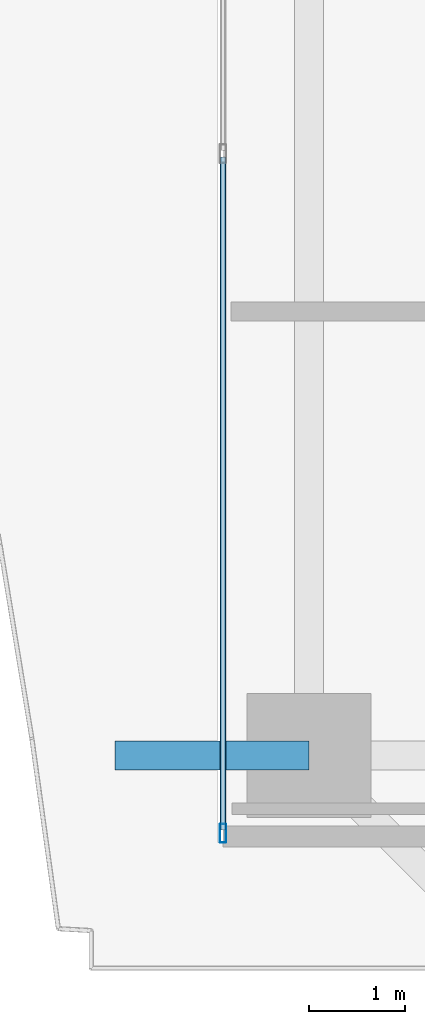
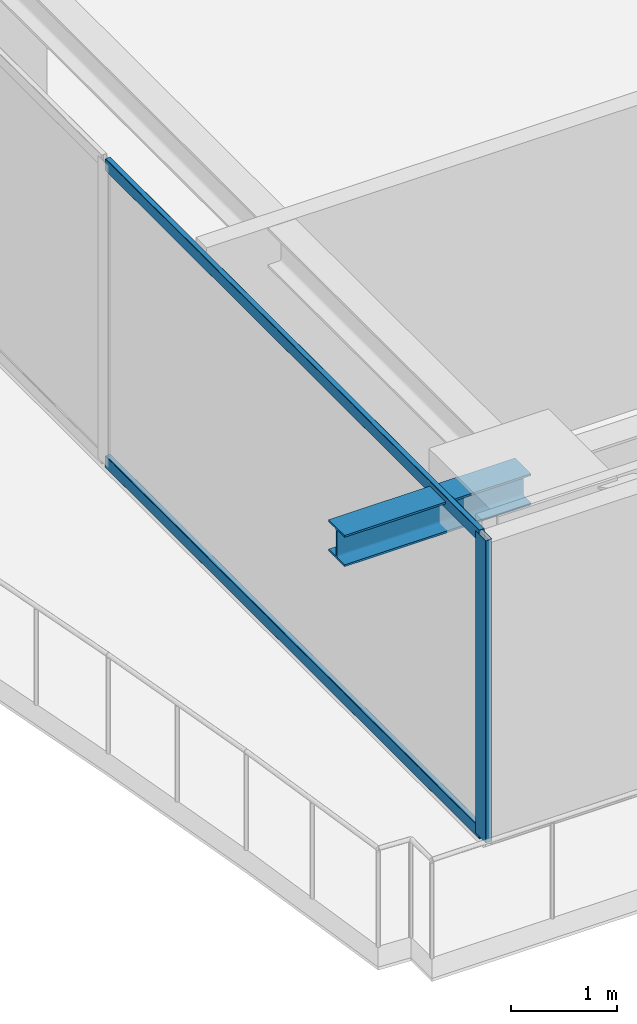
# One storey, part 3 of 35: 3 members, 1 beam, 1 element without a shape of its own.
"""IFC4 building model written with IfcOpenShell, lengths in metres."""

from ifc_helpers import new_model, si_unit, direction, frame, origin, origin_2d, place, context, subcontext, project, spatial, hollow_rectangle, i_section, extrude, source, transform, mapped, material, layer, layer_set, material_profile, profile_set, type_object, element, aggregate, save


model = new_model("IFC4")

# Units and contexts
model_context = context("Model", 3, precision=1e-05, world=origin(), true_north=direction((0.0, 1.0)))
body_context = subcontext(model_context, "Body", "Model", "MODEL_VIEW")
ifc_project = project(units=[si_unit("LENGTHUNIT", "METRE"), si_unit("AREAUNIT", "SQUARE_METRE"), si_unit("VOLUMEUNIT", "CUBIC_METRE"), si_unit("PLANEANGLEUNIT", "RADIAN"), si_unit("MASSUNIT", "GRAM", prefix="KILO")], contexts=[model_context])

# Site, building, storey
site_placement = place(None, origin())
site = spatial("IfcSite", under=ifc_project, at=site_placement, CompositionType="ELEMENT")
building_placement = place(site_placement, origin())
building = spatial("IfcBuilding", under=site, at=building_placement, Name="Serunith Strait Residences", CompositionType="ELEMENT")
storey_placement = place(building_placement, frame((0.0, 0.0, 172.64990234375)))
storey = spatial("IfcBuildingStorey", under=building, at=storey_placement, Name="L43", CompositionType="ELEMENT", Elevation=172.64990234375)

# Beam
ifc_material_1 = material(Name="Steel S355J2", Category="steel")
ifc_material_profile_1 = material_profile(ifc_material_1, i_section(OverallWidth=0.300048828125, OverallDepth=0.360107421875, WebThickness=0.012451171875, FlangeThickness=0.0224609375, FilletRadius=0.027099609375, at=origin_2d()), Name="HEB 360")
ifc_profile_set_1 = profile_set([ifc_material_profile_1], Name="Steel S355J2")
beam_type = type_object("IfcBeamType", Name="BM-HEB360", PredefinedType="BEAM", material=ifc_profile_set_1)
shared_shape_1 = source(origin(), body_context, "Body", "SweptSolid", [
    extrude(i_section(OverallWidth=0.300048828125, OverallDepth=0.360107421875, WebThickness=0.012451171875, FlangeThickness=0.0224609375, FilletRadius=0.027099609375, at=origin_2d()), origin(), (0.0, 0.0, 1.0), 2.030029296875),
])
beam_placement = place(storey_placement, frame((8.699951171875, 10.25, 3.277099609375), z_axis=(-1.0, 0.0, 0.0), x_axis=(0.0, -1.0, 0.0)))
element("IfcBeam", 1, at=beam_placement, inside=storey, type_object=beam_type, Name="L44 Cantilevered Balcony Rib TC-W1", PredefinedType="BEAM", context=body_context, shape_type="MappedRepresentation", body=[
    mapped(shared_shape_1, transform((0.0, 0.0, 0.0), scale=1.0)),
])

# Curtain wall, members
ifc_material_2 = material(Name="Pale-Champagne Anodised Aluminium", Category="aluminium")
ifc_layer = layer(ifc_material_2, 0.199951171875, Name="Pale-Champagne Anodised Aluminium")
ifc_layer_set = layer_set([ifc_layer], Name="Pale-Champagne Anodised Aluminium")
curtain_wall_type = type_object("IfcCurtainWallType", Name="CW-SYS2", PredefinedType="NOTDEFINED", material=ifc_layer_set)
curtain_wall_placement = place(storey_placement, origin())
curtain_wall = element("IfcCurtainWall", 2, at=curtain_wall_placement, inside=storey, type_object=curtain_wall_type, Name="L43 W Unitised Fritted Curtain Wall", PredefinedType="NOTDEFINED")
ifc_material_profile_2 = material_profile(ifc_material_2, hollow_rectangle(XDim=0.070068359375, YDim=0.199951171875, WallThickness=0.00390625, InnerFilletRadius=0.006103515625, OuterFilletRadius=0.010009765625, at=origin_2d()), Name="ALU 200x70x4")
ifc_profile_set_2 = profile_set([ifc_material_profile_2], Name="Pale-Champagne Anodised Aluminium")
member_type_1 = type_object("IfcMemberType", Name="CW-SYS2-MULL", PredefinedType="MULLION", material=ifc_profile_set_2)
shared_shape_2 = source(origin(), body_context, "Body", "SweptSolid", [
    extrude(hollow_rectangle(XDim=0.070068359375, YDim=0.199951171875, WallThickness=0.00390625, InnerFilletRadius=0.006103515625, OuterFilletRadius=0.010009765625, at=origin_2d()), origin(), (0.0, 0.0, 1.0), 3.47509765625),
])
member_1_placement = place(storey_placement, frame((7.800048828125, 9.43505859375, 0.0), z_axis=(0.0, 0.0, 1.0), x_axis=(1.0, 0.0, 0.0)))
member_1 = element("IfcMember", 3, at=member_1_placement, type_object=member_type_1, Name="CW-2 mullion 3", PredefinedType="MULLION", context=body_context, shape_type="MappedRepresentation", body=[
    mapped(shared_shape_2, transform((0.0, 0.0, 0.0), scale=1.0)),
])
ifc_material_profile_3 = material_profile(ifc_material_2, hollow_rectangle(XDim=0.06005859375, YDim=0.139892578125, WallThickness=0.00341796875, InnerFilletRadius=0.00537109375, OuterFilletRadius=0.0087890625, at=origin_2d()), Name="ALU 140x60x3.5")
ifc_profile_set_3 = profile_set([ifc_material_profile_3], Name="Pale-Champagne Anodised Aluminium")
member_type_2 = type_object("IfcMemberType", Name="CW-SYS2-TRAN", PredefinedType="USERDEFINED", material=ifc_profile_set_3)
shared_shape_3 = source(origin(), body_context, "Body", "SweptSolid", [
    extrude(hollow_rectangle(XDim=0.06005859375, YDim=0.139892578125, WallThickness=0.00341796875, InnerFilletRadius=0.00537109375, OuterFilletRadius=0.0087890625, at=origin_2d()), origin(), (0.0, 0.0, 1.0), 7.044921875),
])
member_2_placement = place(storey_placement, frame((7.800048828125, 16.514892578125, 0.030029296875), z_axis=(0.0, -1.0, 0.0), x_axis=(1.0, 0.0, 0.0)))
member_2 = element("IfcMember", 4, at=member_2_placement, type_object=member_type_2, Name="CW-2 transom 2.1", ObjectType="TRANSOM", PredefinedType="USERDEFINED", context=body_context, shape_type="MappedRepresentation", body=[
    mapped(shared_shape_3, transform((0.0, 0.0, 0.0), scale=1.0)),
])
member_3_placement = place(storey_placement, frame((7.800048828125, 16.514892578125, 3.445068359375), z_axis=(0.0, -1.0, 0.0), x_axis=(1.0, 0.0, 0.0)))
member_3 = element("IfcMember", 5, at=member_3_placement, type_object=member_type_2, Name="CW-2 transom 2.2", ObjectType="TRANSOM", PredefinedType="USERDEFINED", context=body_context, shape_type="MappedRepresentation", body=[
    mapped(shared_shape_3, transform((0.0, 0.0, 0.0), scale=1.0)),
])
aggregate(curtain_wall, [member_1, member_2, member_3])

save(model, "model.ifc")
